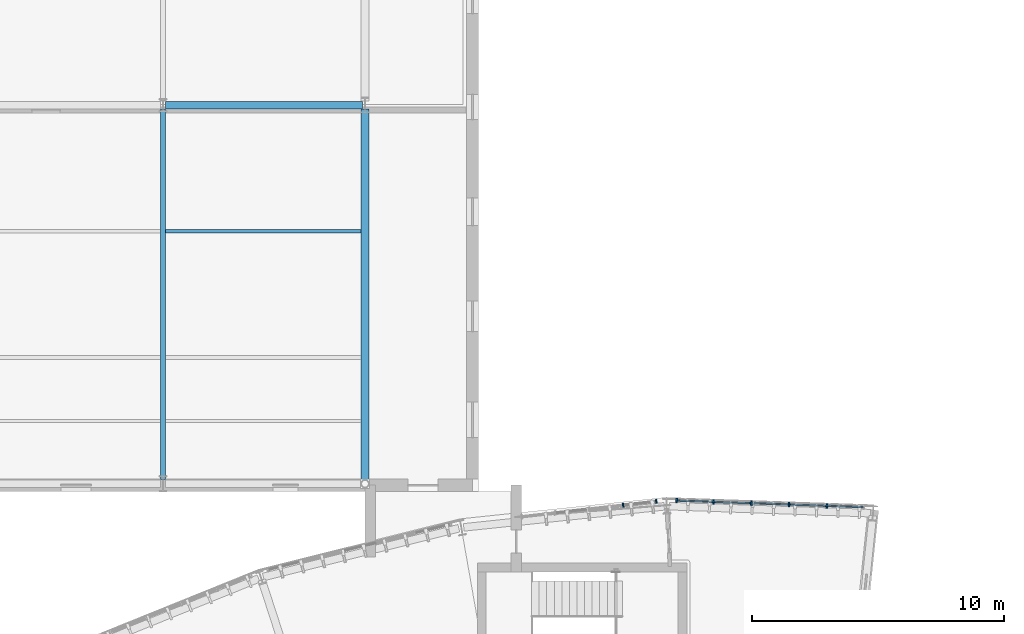
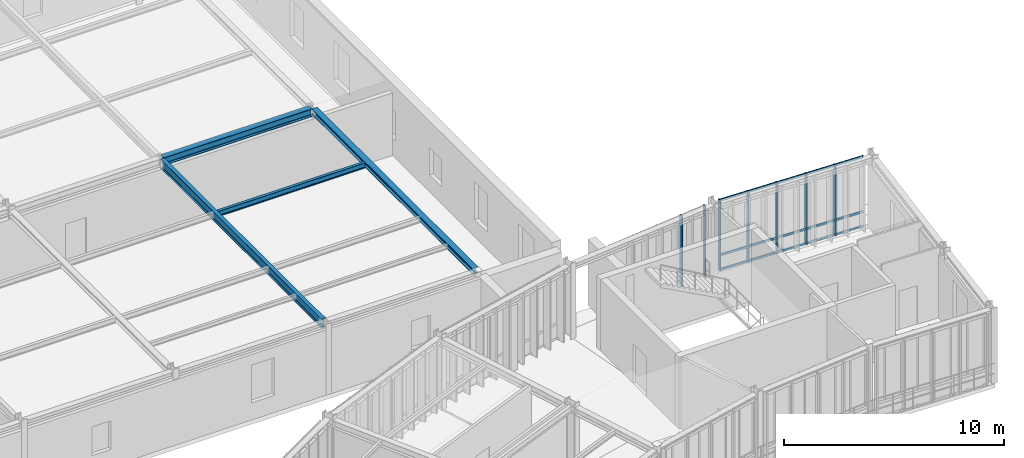
# One storey, part 89 of 148: 10 members, 4 beams, 2 elements without a shape of their own.
"""IFC4 building model written with IfcOpenShell, lengths in metres."""

from ifc_helpers import new_model, si_unit, direction, frame, origin, origin_2d, place, context, subcontext, project, spatial, rectangle, i_section, extrude, material, layer, layer_set, material_profile, profile_set, type_object, element, aggregate, save


model = new_model("IFC4")

# Units and contexts
model_context = context("Model", 3, precision=1e-05, world=origin(), true_north=direction((0.0, 1.0)))
body_context = subcontext(model_context, "Body", "Model", "MODEL_VIEW")
ifc_project = project(units=[si_unit("LENGTHUNIT", "METRE"), si_unit("AREAUNIT", "SQUARE_METRE"), si_unit("VOLUMEUNIT", "CUBIC_METRE"), si_unit("PLANEANGLEUNIT", "RADIAN"), si_unit("MASSUNIT", "GRAM", prefix="KILO"), si_unit("THERMODYNAMICTEMPERATUREUNIT", "KELVIN"), si_unit("POWERUNIT", "WATT")], contexts=[model_context])

# Site, building, storey
site_placement = place(None, origin())
site = spatial("IfcSite", under=ifc_project, at=site_placement, CompositionType="ELEMENT")
building_placement = place(site_placement, origin())
building = spatial("IfcBuilding", under=site, at=building_placement, Name="Solvatero Civic Police Headquarters", CompositionType="ELEMENT")
storey_placement = place(building_placement, frame((0.0, 0.0, 5.10009765625)))
storey = spatial("IfcBuildingStorey", under=building, at=storey_placement, Name="L01", CompositionType="ELEMENT", Elevation=5.10009765625)

# Beams
ifc_material_1 = material(Name="Steel S355", Category="steel")
ifc_material_profile_1 = material_profile(ifc_material_1, i_section(OverallWidth=0.300048828125, OverallDepth=0.2900390625, WebThickness=0.008544921875, FlangeThickness=0.013916015625, FilletRadius=0.027099609375, at=origin_2d()), Name="HEA 300")
ifc_profile_set_1 = profile_set([ifc_material_profile_1], Name="Steel S355")
beam_type_1 = type_object("IfcBeamType", Name="BM-ST-HEA300", PredefinedType="SPANDREL", material=ifc_profile_set_1)
beam_1_placement = place(storey_placement, frame((80.0, 85.659912109375, 3.794921875), z_axis=(0.0, 1.0, 0.0), x_axis=(-1.0, 0.0, 0.0)))
element("IfcBeam", 1, at=beam_1_placement, inside=storey, type_object=beam_type_1, Name="Perimeter / radial spandrel beam BM-R2-L01-V7E-GY-3-1", PredefinedType="SPANDREL", context=body_context, shape_type="SweptSolid", body=[
    extrude(i_section(OverallWidth=0.300048828125, OverallDepth=0.2900390625, WebThickness=0.008544921875, FlangeThickness=0.013916015625, FilletRadius=0.027099609375, at=origin_2d()), origin(), (0.0, 0.0, 1.0), 14.68017578125),
])
ifc_material_profile_2 = material_profile(ifc_material_1, i_section(OverallWidth=0.300048828125, OverallDepth=0.43994140625, WebThickness=0.011474609375, FlangeThickness=0.02099609375, FilletRadius=0.027099609375, at=origin_2d()), Name="HEA 450")
ifc_profile_set_2 = profile_set([ifc_material_profile_2], Name="Steel S355")
beam_type_2 = type_object("IfcBeamType", Name="BM-ST-HEA450", PredefinedType="BEAM", material=ifc_profile_set_2)
beam_2_placement = place(storey_placement, frame((72.10009765625, 100.5, 3.719970703125), z_axis=(1.0, 0.0, 0.0), x_axis=(0.0, 1.0, 0.0)))
element("IfcBeam", 2, at=beam_2_placement, inside=storey, type_object=beam_type_2, Name="Primary girder BM-R2-L01-V7E-GX-2-2", PredefinedType="BEAM", context=body_context, shape_type="SweptSolid", body=[
    extrude(i_section(OverallWidth=0.300048828125, OverallDepth=0.43994140625, WebThickness=0.011474609375, FlangeThickness=0.02099609375, FilletRadius=0.027099609375, at=origin_2d()), origin(), (0.0, 0.0, 1.0), 7.7998046875),
])
ifc_material_profile_3 = material_profile(ifc_material_1, i_section(OverallWidth=0.14990234375, OverallDepth=0.300048828125, WebThickness=0.007080078125, FlangeThickness=0.0107421875, FilletRadius=0.014892578125, at=origin_2d()), Name="IPE 300")
ifc_profile_set_3 = profile_set([ifc_material_profile_3], Name="Steel S355")
beam_type_3 = type_object("IfcBeamType", Name="BM-ST-IPE300", PredefinedType="BEAM", material=ifc_profile_set_3)
beam_3_placement = place(storey_placement, frame((72.10009765625, 95.5, 3.789794921875), z_axis=(1.0, 0.0, 0.0), x_axis=(0.0, 1.0, 0.0)))
element("IfcBeam", 3, at=beam_3_placement, inside=storey, type_object=beam_type_3, Name="Composite floor beam BM-R2-L01-V7E-SEC-2-1-S2", PredefinedType="BEAM", context=body_context, shape_type="SweptSolid", body=[
    extrude(i_section(OverallWidth=0.14990234375, OverallDepth=0.300048828125, WebThickness=0.007080078125, FlangeThickness=0.0107421875, FilletRadius=0.014892578125, at=origin_2d()), origin(), (0.0, 0.0, 1.0), 7.75),
])
ifc_material_profile_4 = material_profile(ifc_material_1, i_section(OverallWidth=0.199951171875, OverallDepth=0.5, WebThickness=0.01025390625, FlangeThickness=0.01611328125, FilletRadius=0.02099609375, at=origin_2d()), Name="IPE 500")
ifc_profile_set_4 = profile_set([ifc_material_profile_4], Name="Steel S355")
beam_type_4 = type_object("IfcBeamType", Name="BM-ST-IPE500", PredefinedType="BEAM", material=ifc_profile_set_4)
beam_4_placement = place(storey_placement, frame((72.0, 85.659912109375, 3.68994140625), z_axis=(0.0, 1.0, 0.0), x_axis=(-1.0, 0.0, 0.0)))
element("IfcBeam", 4, at=beam_4_placement, inside=storey, type_object=beam_type_4, Name="Primary girder BM-R2-L01-V7E-GY-2-1", PredefinedType="BEAM", context=body_context, shape_type="SweptSolid", body=[
    extrude(i_section(OverallWidth=0.199951171875, OverallDepth=0.5, WebThickness=0.01025390625, FlangeThickness=0.01611328125, FilletRadius=0.02099609375, at=origin_2d()), origin(), (0.0, 0.0, 1.0), 14.68017578125),
])

# Curtain wall, members
ifc_material_2 = material(Name="Anodized Bronze Aluminium", Category="aluminium")
ifc_layer = layer(ifc_material_2, 0.179931640625)
ifc_layer_set = layer_set([ifc_layer], Name="Anodized Bronze Aluminium")
curtain_wall_type = type_object("IfcCurtainWallType", Name="CW-ARC-OUT", PredefinedType="USERDEFINED", material=ifc_layer_set)
curtain_wall_1_placement = place(storey_placement, origin())
curtain_wall_1 = element("IfcCurtainWall", 5, at=curtain_wall_1_placement, inside=storey, type_object=curtain_wall_type, Name="Curtain Wall CW-R2-L01-ARC-OUT-B02E", ObjectType="UNITISED", PredefinedType="USERDEFINED")
ifc_material_profile_5 = material_profile(ifc_material_2, rectangle(XDim=0.06005859375, YDim=0.159912109375, at=origin_2d()), Name="ALU MULLION 60x160")
ifc_profile_set_5 = profile_set([ifc_material_profile_5], Name="Anodized Bronze Aluminium")
member_type_1 = type_object("IfcMemberType", Name="CWM-180x70", PredefinedType="MULLION", material=ifc_profile_set_5)
member_1_placement = place(storey_placement, frame((91.539794921875, 84.7978515625, 0.0), z_axis=(0.0, 0.0, 1.0), x_axis=(-0.99356395018, -0.113272577893, 0.0)))
member_1 = element("IfcMember", 6, at=member_1_placement, type_object=member_type_1, Name="CW-R2-L01-ARC-OUT-B02E Mullion 1", PredefinedType="MULLION", context=body_context, shape_type="SweptSolid", body=[
    extrude(rectangle(XDim=0.06005859375, YDim=0.159912109375, at=origin_2d()), origin(), (0.0, 0.0, 1.0), 3.93994140625),
])
member_2_placement = place(storey_placement, frame((90.2294921875, 84.6484375, 0.0), z_axis=(0.0, 0.0, 1.0), x_axis=(-0.99356395018, -0.113272577893, 0.0)))
member_2 = element("IfcMember", 7, at=member_2_placement, type_object=member_type_1, Name="CW-R2-L01-ARC-OUT-B02E Mullion 2", PredefinedType="MULLION", context=body_context, shape_type="SweptSolid", body=[
    extrude(rectangle(XDim=0.06005859375, YDim=0.159912109375, at=origin_2d()), origin(), (0.0, 0.0, 1.0), 3.93994140625),
])
aggregate(curtain_wall_1, [member_1, member_2])

curtain_wall_2_placement = place(storey_placement, origin())
curtain_wall_2 = element("IfcCurtainWall", 8, at=curtain_wall_2_placement, inside=storey, type_object=curtain_wall_type, Name="Curtain Wall CW-R2-L01-ARC-OUT-B01", ObjectType="UNITISED", PredefinedType="USERDEFINED")
ifc_material_profile_6 = material_profile(ifc_material_2, rectangle(XDim=0.06494140625, YDim=0.179931640625, at=origin_2d()), Name="ALU MULLION 65x180")
ifc_profile_set_6 = profile_set([ifc_material_profile_6], Name="Anodized Bronze Aluminium")
member_type_2 = type_object("IfcMemberType", Name="CWM-200x75", PredefinedType="MULLION", material=ifc_profile_set_6)
member_3_placement = place(storey_placement, frame((98.30126953125, 84.6220703125, 0.0), z_axis=(0.0, 0.0, 1.0), x_axis=(-0.999390827019, 0.034899496703, 0.0)))
member_3 = element("IfcMember", 9, at=member_3_placement, type_object=member_type_2, Name="CW-R2-L01-ARC-OUT-B01 Mullion 2", PredefinedType="MULLION", context=body_context, shape_type="SweptSolid", body=[
    extrude(rectangle(XDim=0.06494140625, YDim=0.179931640625, at=origin_2d()), origin(), (0.0, 0.0, 1.0), 3.93994140625),
])
member_4_placement = place(storey_placement, frame((96.8037109375, 84.67431640625, 0.0), z_axis=(0.0, 0.0, 1.0), x_axis=(-0.999390827019, 0.034899496703, 0.0)))
member_4 = element("IfcMember", 10, at=member_4_placement, type_object=member_type_2, Name="CW-R2-L01-ARC-OUT-B01 Mullion 3", PredefinedType="MULLION", context=body_context, shape_type="SweptSolid", body=[
    extrude(rectangle(XDim=0.06494140625, YDim=0.179931640625, at=origin_2d()), origin(), (0.0, 0.0, 1.0), 3.93994140625),
])
member_5_placement = place(storey_placement, frame((95.30615234375, 84.726806640625, 0.0), z_axis=(0.0, 0.0, 1.0), x_axis=(-0.999390827019, 0.034899496703, 0.0)))
member_5 = element("IfcMember", 11, at=member_5_placement, type_object=member_type_2, Name="CW-R2-L01-ARC-OUT-B01 Mullion 4", PredefinedType="MULLION", context=body_context, shape_type="SweptSolid", body=[
    extrude(rectangle(XDim=0.06494140625, YDim=0.179931640625, at=origin_2d()), origin(), (0.0, 0.0, 1.0), 3.93994140625),
])
member_6_placement = place(storey_placement, frame((93.80859375, 84.779052734375, 0.0), z_axis=(0.0, 0.0, 1.0), x_axis=(-0.999390827019, 0.034899496703, 0.0)))
member_6 = element("IfcMember", 12, at=member_6_placement, type_object=member_type_2, Name="CW-R2-L01-ARC-OUT-B01 Mullion 5", PredefinedType="MULLION", context=body_context, shape_type="SweptSolid", body=[
    extrude(rectangle(XDim=0.06494140625, YDim=0.179931640625, at=origin_2d()), origin(), (0.0, 0.0, 1.0), 3.93994140625),
])
member_7_placement = place(storey_placement, frame((92.350830078125, 84.829833984375, 0.0), z_axis=(0.0, 0.0, 1.0), x_axis=(-0.999390827019, 0.034899496703, 0.0)))
member_7 = element("IfcMember", 13, at=member_7_placement, type_object=member_type_2, Name="CW-R2-L01-ARC-OUT-B01 Mullion 6", PredefinedType="MULLION", context=body_context, shape_type="SweptSolid", body=[
    extrude(rectangle(XDim=0.06494140625, YDim=0.179931640625, at=origin_2d()), origin(), (0.0, 0.0, 1.0), 3.93994140625),
])
ifc_material_profile_7 = material_profile(ifc_material_2, rectangle(XDim=0.06005859375, YDim=0.125, at=origin_2d()), Name="ALU TRANSOM 60x125")
ifc_profile_set_7 = profile_set([ifc_material_profile_7], Name="Anodized Bronze Aluminium")
member_type_3 = type_object("IfcMemberType", Name="CWT-160x65", PredefinedType="USERDEFINED", material=ifc_profile_set_7)
member_8_placement = place(storey_placement, frame((99.748779296875, 84.571533203125, 0.039794921875), z_axis=(-0.999390524505, 0.034908158501, 0.0), x_axis=(-0.034908158501, -0.999390524505, 0.0)))
member_8 = element("IfcMember", 14, at=member_8_placement, type_object=member_type_3, Name="CW-R2-L01-ARC-OUT-B01 Transom 1", ObjectType="TRANSOM", PredefinedType="USERDEFINED", context=body_context, shape_type="SweptSolid", body=[
    extrude(rectangle(XDim=0.06005859375, YDim=0.125, at=origin_2d()), origin(), (0.0, 0.0, 1.0), 7.392333984375),
])
member_9_placement = place(storey_placement, frame((99.748779296875, 84.571533203125, 0.849853515625), z_axis=(-0.999390524505, 0.034908158501, 0.0), x_axis=(-0.034908158501, -0.999390524505, 0.0)))
member_9 = element("IfcMember", 15, at=member_9_placement, type_object=member_type_3, Name="CW-R2-L01-ARC-OUT-B01 Transom 2", ObjectType="TRANSOM", PredefinedType="USERDEFINED", context=body_context, shape_type="SweptSolid", body=[
    extrude(rectangle(XDim=0.06005859375, YDim=0.125, at=origin_2d()), origin(), (0.0, 0.0, 1.0), 7.392333984375),
])
member_10_placement = place(storey_placement, frame((99.748779296875, 84.571533203125, 3.89990234375), z_axis=(-0.999390524505, 0.034908158501, 0.0), x_axis=(-0.034908158501, -0.999390524505, 0.0)))
member_10 = element("IfcMember", 16, at=member_10_placement, type_object=member_type_3, Name="CW-R2-L01-ARC-OUT-B01 Transom 3", ObjectType="TRANSOM", PredefinedType="USERDEFINED", context=body_context, shape_type="SweptSolid", body=[
    extrude(rectangle(XDim=0.06005859375, YDim=0.125, at=origin_2d()), origin(), (0.0, 0.0, 1.0), 7.392333984375),
])
aggregate(curtain_wall_2, [member_3, member_4, member_5, member_6, member_7, member_8, member_9, member_10])

save(model, "model.ifc")
